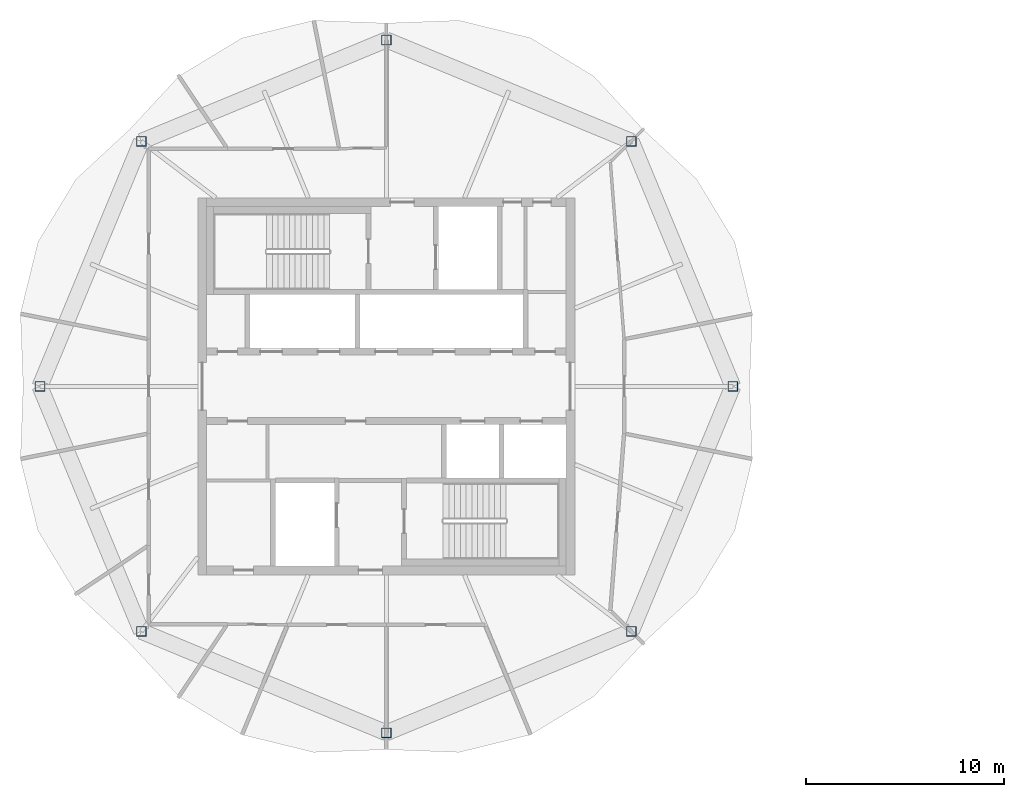
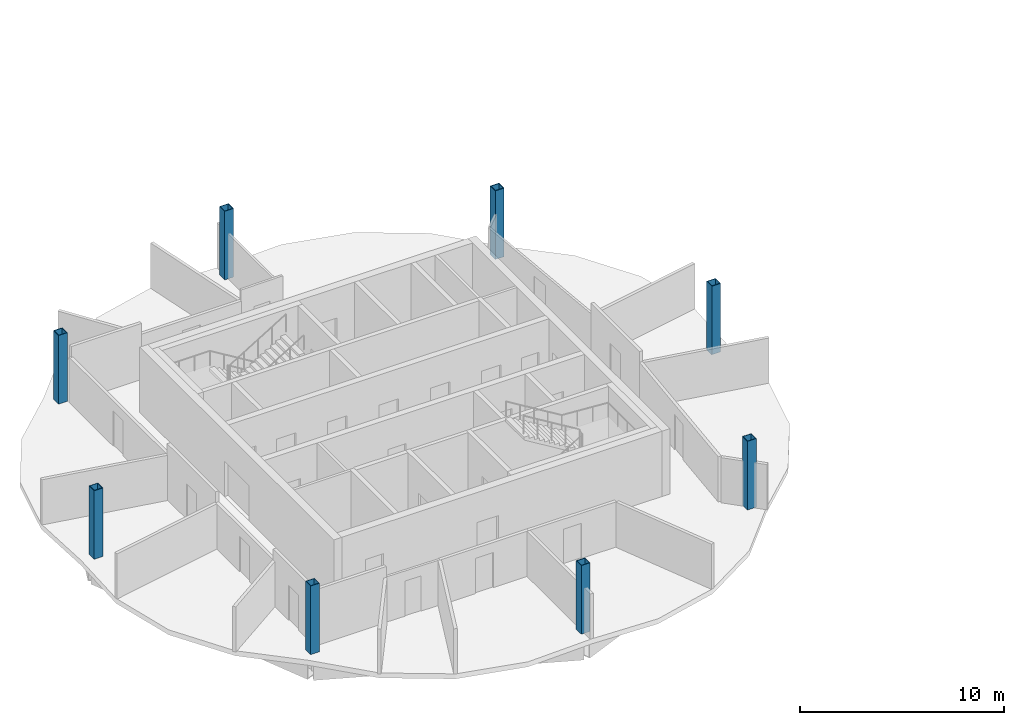
# One storey, part 1 of 11: 8 columns.
"""IFC4 building model written with IfcOpenShell, lengths in metres."""

from ifc_helpers import new_model, si_unit, direction, frame, origin, origin_2d, place, context, subcontext, project, spatial, hollow_rectangle, extrude, material, material_profile, profile_set, type_object, element, save


model = new_model("IFC4")

# Units and contexts
model_context = context("Model", 3, precision=1e-05, world=origin(), true_north=direction((0.0, 1.0)))
body_context = subcontext(model_context, "Body", "Model", "MODEL_VIEW")
ifc_project = project(units=[si_unit("LENGTHUNIT", "METRE"), si_unit("AREAUNIT", "SQUARE_METRE"), si_unit("VOLUMEUNIT", "CUBIC_METRE"), si_unit("PLANEANGLEUNIT", "RADIAN"), si_unit("MASSUNIT", "GRAM", prefix="KILO")], contexts=[model_context])

# Site, building, storey
site_placement = place(None, origin())
site = spatial("IfcSite", under=ifc_project, at=site_placement, CompositionType="ELEMENT")
building_placement = place(site_placement, origin())
building = spatial("IfcBuilding", under=site, at=building_placement, Name="Ogive Gate Towers", CompositionType="ELEMENT")
storey_placement = place(building_placement, frame((0.0, 0.0, 289.800048828125)))
storey = spatial("IfcBuildingStorey", under=building, at=storey_placement, Name="L68", CompositionType="ELEMENT", Elevation=289.800048828125)

# Columns
ifc_material = material(Name="Steel SM460", Category="steel")
ifc_material_profile = material_profile(ifc_material, hollow_rectangle(XDim=0.5, YDim=0.5, WallThickness=0.030029296875, at=origin_2d()), Name="BX 500x500x30")
ifc_profile_set = profile_set([ifc_material_profile], Name="Steel SM460")
column_type = type_object("IfcColumnType", Name="Perimeter post BX 500x500x30", PredefinedType="COLUMN", material=ifc_profile_set)
for number, where, z_axis, x_axis, name in (
    (1, (-18.544921875, 0.0, 0.0), (0.0, 0.0, 1.0), (1.0, 0.0, 0.0), "T1/L68/SCL001"),
    (2, (-23.657470703125, 12.342529296875, 0.0), (0.0, 0.0, 1.0), (1.0, 0.0, 0.0), "T1/L68/SCL002"),
    (3, (-36.0, 17.455078125, 0.0), (0.0, 0.0, 1.0), (1.0, 0.0, 0.0), "T1/L68/SCL003"),
    (4, (-48.342529296875, 12.342529296875, 0.0), (0.0, 0.0, 1.0), (1.0, 0.0, 0.0), "T1/L68/SCL004"),
    (5, (-53.455078125, 0.0, 0.0), (0.0, 0.0, 1.0), (1.0, 0.0, 0.0), "T1/L68/SCL005"),
    (6, (-48.342529296875, -12.342529296875, 0.0), (0.0, 0.0, 1.0), (1.0, 0.0, 0.0), "T1/L68/SCL006"),
    (7, (-36.0, -17.455078125, 0.0), (0.0, 0.0, 1.0), (1.0, 0.0, 0.0), "T1/L68/SCL007"),
    (8, (-23.657470703125, -12.342529296875, 0.0), (0.0, 0.0, 1.0), (1.0, 0.0, 0.0), "T1/L68/SCL008"),
):
    element("IfcColumn", number, at=place(storey_placement, frame(where, z_axis=z_axis, x_axis=x_axis)), inside=storey, type_object=column_type, Name=name, PredefinedType="COLUMN", context=body_context, shape_type="SweptSolid", body=[
        extrude(hollow_rectangle(XDim=0.5, YDim=0.5, WallThickness=0.030029296875, at=origin_2d()), origin(), (0.0, 0.0, 1.0), 4.099853515625),
    ])

save(model, "model.ifc")
